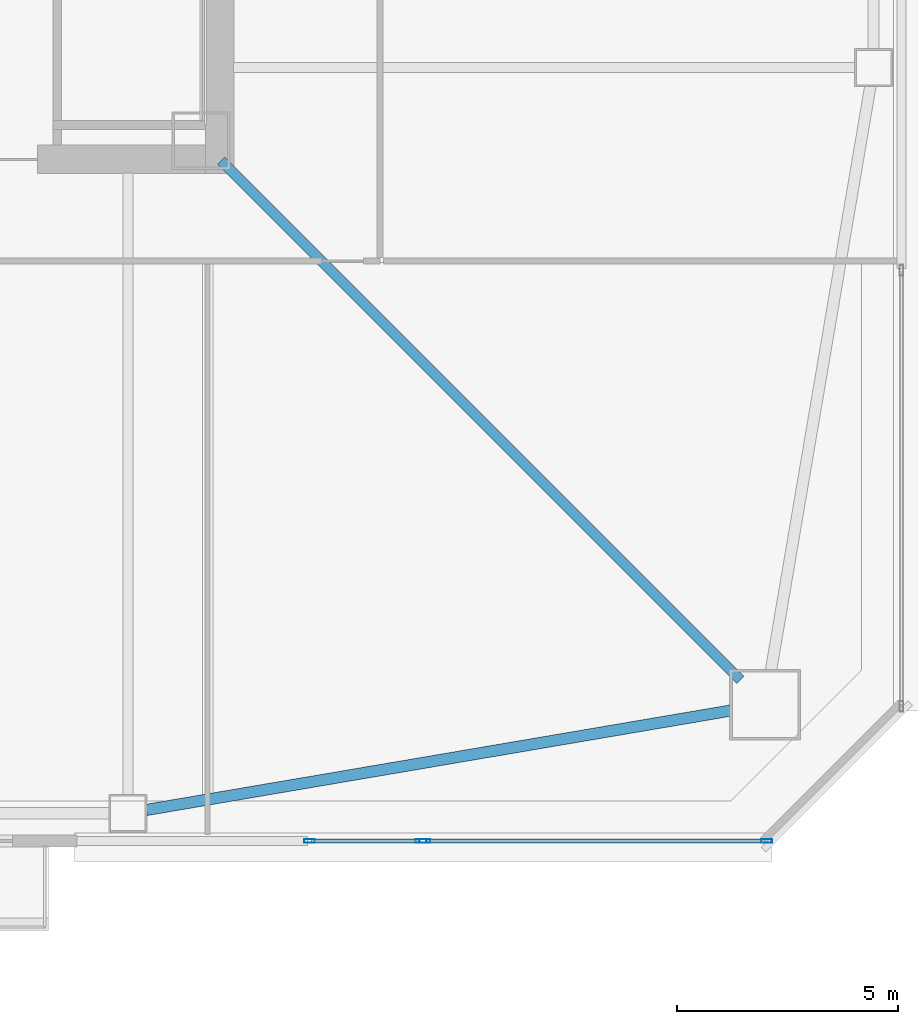
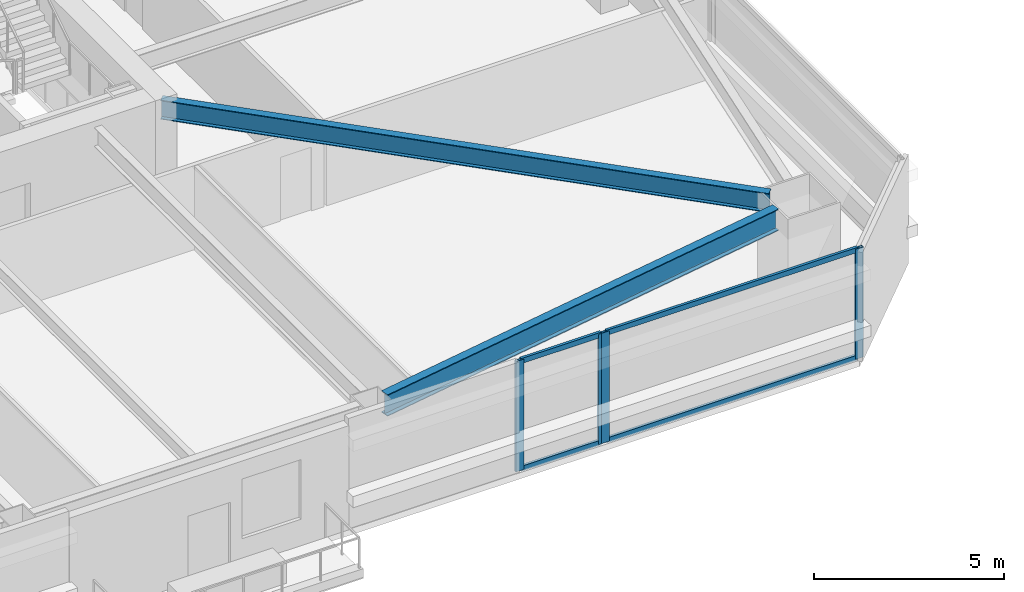
# One storey, part 8 of 46: 8 members, 2 beams, 2 elements without a shape of their own.
"""IFC4 building model written with IfcOpenShell, lengths in metres."""

import ifcopenshell
import ifcopenshell.guid

model = None  # the IFC model being written
_history = None  # IfcOwnerHistory: only IFC2X3 demands one
_inside = {}  # id of a spatial element -> (the spatial element, [elements in it])
_under = {}  # id of a project, library or spatial element -> (it, [spatial elements below it])
_declared = {}  # id of a project -> (the project, [libraries it declares])
_typed = {}  # id of a type object -> (the type object, [elements of that type])
_made_of = {}  # id of a material, layer set ... -> (it, [elements and type objects made of it])


def new_model(schema):
    """Start an empty IFC model of exactly this schema.

    Asked for "IFC4X3", IfcOpenShell would pick the latest addendum, in which some entities
    have other attributes; the version numbers below select the first issue.
    IFC2X3 requires an IfcOwnerHistory on every rooted entity: one is made here for all.
    """
    global model, _history
    if schema == "IFC4X3":
        model = ifcopenshell.file(schema_version=(4, 3, 0, 0))
    else:
        model = ifcopenshell.file(schema=schema)
    _inside.clear()
    _under.clear()
    _declared.clear()
    _typed.clear()
    _made_of.clear()
    _history = None
    if model.schema == "IFC2X3":
        org = make("IfcOrganization", Name="unknown")
        user = make(
            "IfcPersonAndOrganization",
            ThePerson=make("IfcPerson", FamilyName="unknown"),
            TheOrganization=org,
        )
        app = make(
            "IfcApplication",
            ApplicationDeveloper=org,
            Version="unknown",
            ApplicationFullName="unknown",
            ApplicationIdentifier="unknown",
        )
        _history = make(
            "IfcOwnerHistory",
            OwningUser=user,
            OwningApplication=app,
            ChangeAction="ADDED",
            CreationDate=0,
        )
    return model


def make(cls, **values):
    """One entity of the class cls with the attributes given. An attribute that is None is left unset."""
    return model.create_entity(
        cls, **{name: value for name, value in values.items() if value is not None}
    )


def rooted(cls, **values):
    """An entity with a GlobalId (a new one), such as an element, a storey or a relation."""
    return make(cls, GlobalId=ifcopenshell.guid.new(), OwnerHistory=_history, **values)


def si_unit(unit_type, name, prefix=None):
    """IfcSIUnit, for example si_unit("LENGTHUNIT", "METRE", prefix="MILLI")."""
    return make("IfcSIUnit", UnitType=unit_type, Prefix=prefix, Name=name)


def assignment(units):
    """IfcUnitAssignment: the units of a project."""
    return None if units is None else make("IfcUnitAssignment", Units=units)


def point(xyz):
    """IfcCartesianPoint."""
    return None if xyz is None else make("IfcCartesianPoint", Coordinates=xyz)


def direction(xyz):
    """IfcDirection."""
    return None if xyz is None else make("IfcDirection", DirectionRatios=xyz)


def frame(location, z_axis=None, x_axis=None):
    """IfcAxis2Placement3D, a coordinate frame: its origin and axes. An axis left out is left unset."""
    return make(
        "IfcAxis2Placement3D",
        Location=point(location),
        Axis=direction(z_axis),
        RefDirection=direction(x_axis),
    )


def frame_2d(location, x_axis=None):
    """IfcAxis2Placement2D, a coordinate frame in the plane: its origin and x axis."""
    return make(
        "IfcAxis2Placement2D", Location=point(location), RefDirection=direction(x_axis)
    )


def origin():
    """The frame at (0, 0, 0) with its axes left unset."""
    return frame((0.0, 0.0, 0.0))


def origin_2d():
    """The frame at (0, 0) in the plane with its x axis left unset."""
    return frame_2d((0.0, 0.0))


def place(relative_to, where):
    """IfcLocalPlacement: puts the frame where relative to a parent placement (None: the world)."""
    return make(
        "IfcLocalPlacement", PlacementRelTo=relative_to, RelativePlacement=where
    )


def context(
    kind, dimensions, precision=None, world=None, true_north=None, identifier=None
):
    """IfcGeometricRepresentationContext, for example the 3D "Model" context."""
    return make(
        "IfcGeometricRepresentationContext",
        ContextIdentifier=identifier,
        ContextType=kind,
        CoordinateSpaceDimension=dimensions,
        Precision=precision,
        WorldCoordinateSystem=world,
        TrueNorth=true_north,
    )


def subcontext(parent, identifier, kind, view, scale=None):
    """IfcGeometricRepresentationSubContext, for example "Body" below "Model"."""
    return make(
        "IfcGeometricRepresentationSubContext",
        ContextIdentifier=identifier,
        ContextType=kind,
        ParentContext=parent,
        TargetScale=scale,
        TargetView=view,
    )


def project(units=None, contexts=None):
    """IfcProject with its units and contexts."""
    return rooted(
        "IfcProject",
        Name="project",
        RepresentationContexts=contexts,
        UnitsInContext=assignment(units),
    )


def spatial(cls, under=None, at=None, **own):
    """A site, building, storey or space (cls), placed at a placement, below another one or the project."""
    s = rooted(cls, ObjectPlacement=at, **own)
    if under is not None:
        _under.setdefault(under.id(), (under, []))[1].append(s)
    return s


def profile(cls, at=None, kind="AREA", **sizes):
    """A parametric profile (cls). Its sizes go by their IFC names, for example OverallWidth=200.0."""
    return make(cls, ProfileType=kind, Position=at, **sizes)


def hollow_rectangle(**sizes):
    """IfcRectangleHollowProfileDef."""
    return profile("IfcRectangleHollowProfileDef", **sizes)


def i_section(**sizes):
    """IfcIShapeProfileDef."""
    return profile("IfcIShapeProfileDef", **sizes)


def extrude(swept, where, along, depth):
    """IfcExtrudedAreaSolid: the profile swept, set in the frame where, extruded along a direction by depth."""
    return make(
        "IfcExtrudedAreaSolid",
        SweptArea=swept,
        Position=where,
        ExtrudedDirection=direction(along),
        Depth=depth,
    )


def shape(context_of_items, identifier, shape_type, items):
    """IfcShapeRepresentation: the items that make up one representation, for example the "Body"."""
    return make(
        "IfcShapeRepresentation",
        ContextOfItems=context_of_items,
        RepresentationIdentifier=identifier,
        RepresentationType=shape_type,
        Items=items,
    )


def material(Name=None, Category=None):
    """IfcMaterial."""
    return make("IfcMaterial", Name=Name, Category=Category)


def material_profile(
    of_material, cross_section, Name=None, Category=None, Priority=None
):
    """IfcMaterialProfile: a cross section and its material."""
    return make(
        "IfcMaterialProfile",
        Name=Name,
        Material=of_material,
        Profile=cross_section,
        Priority=Priority,
        Category=Category,
    )


def profile_set(profiles, Name=None, composite=None):
    """IfcMaterialProfileSet."""
    return make(
        "IfcMaterialProfileSet",
        Name=Name,
        MaterialProfiles=profiles,
        CompositeProfile=composite,
    )


def made_of(thing, what):
    """Note that an element or type object is made of a material, layer set ...; save() writes the relation."""
    if what is not None:
        _made_of.setdefault(what.id(), (what, []))[1].append(thing)
    return thing


def type_object(cls, material=None, **own):
    """A type object (cls), such as IfcWallType, which elements share."""
    return made_of(rooted(cls, **own), material)


def element(
    cls,
    number,
    at=None,
    inside=None,
    cuts=None,
    type_object=None,
    material=None,
    context=None,
    identifier="Body",
    shape_type=None,
    held_by="IfcProductDefinitionShape",
    body=None,
    shapes=None,
    **own,
):
    """One element of the class cls, such as IfcWall. Its Tag is "e" and its number.

    at: its placement. inside: the storey or other place that contains it. cuts: it is an
    opening in that element (IfcRelVoidsElement). A single representation is given by context,
    identifier, shape_type and body (its items); several are given by shapes. held_by: the class
    of the entity that holds the representations. save() writes the other relations.
    """
    e = rooted(cls, Tag="e%d" % number, ObjectPlacement=at, **own)
    if body is not None:
        shapes = [shape(context, identifier, shape_type, body)]
    if shapes is not None:
        e.Representation = make(held_by, Representations=shapes)
    if inside is not None:
        _inside.setdefault(inside.id(), (inside, []))[1].append(e)
    if cuts is not None:
        rooted(
            "IfcRelVoidsElement", RelatingBuildingElement=cuts, RelatedOpeningElement=e
        )
    if type_object is not None:
        _typed.setdefault(type_object.id(), (type_object, []))[1].append(e)
    return made_of(e, material)


def aggregate(whole, parts):
    """IfcRelAggregates: a whole, such as a stair, and the parts it consists of."""
    return rooted("IfcRelAggregates", RelatingObject=whole, RelatedObjects=parts)


def save(model, path):
    """Write the relations noted so far, then the file.

    IfcRelAggregates (storeys below a building ...), IfcRelContainedInSpatialStructure (elements
    in a storey), IfcRelDefinesByType, IfcRelAssociatesMaterial and IfcRelDeclares: one each for
    every whole, place, type object, material and project.
    """
    for whole, parts in _under.values():
        aggregate(whole, parts)
    for where, things in _inside.values():
        rooted(
            "IfcRelContainedInSpatialStructure",
            RelatedElements=things,
            RelatingStructure=where,
        )
    for kind, things in _typed.values():
        rooted("IfcRelDefinesByType", RelatedObjects=things, RelatingType=kind)
    for what, things in _made_of.values():
        rooted("IfcRelAssociatesMaterial", RelatedObjects=things, RelatingMaterial=what)
    for by, libraries in _declared.values():
        rooted("IfcRelDeclares", RelatingContext=by, RelatedDefinitions=libraries)
    model.write(path)


model = new_model("IFC4")

# Units and contexts
model_context = context("Model", 3, precision=1e-05, world=origin(), true_north=direction((0.0, 1.0)))
body_context = subcontext(model_context, "Body", "Model", "MODEL_VIEW")
ifc_project = project(units=[si_unit("LENGTHUNIT", "METRE"), si_unit("AREAUNIT", "SQUARE_METRE"), si_unit("VOLUMEUNIT", "CUBIC_METRE"), si_unit("PLANEANGLEUNIT", "RADIAN"), si_unit("MASSUNIT", "GRAM", prefix="KILO")], contexts=[model_context])

# Site, building, storey
site_placement = place(None, origin())
site = spatial("IfcSite", under=ifc_project, at=site_placement, CompositionType="ELEMENT")
building_placement = place(site_placement, origin())
building = spatial("IfcBuilding", under=site, at=building_placement, Name="Tashvorn Skyway Center", CompositionType="ELEMENT")
storey_placement = place(building_placement, frame((0.0, 0.0, 38.800048828125)))
storey = spatial("IfcBuildingStorey", under=building, at=storey_placement, Name="L09", CompositionType="ELEMENT", Elevation=38.800048828125)

# Beams
ifc_material_1 = material(Name="Steel ASTM A992 Grade 50", Category="steel")
ifc_material_profile_1 = material_profile(ifc_material_1, i_section(OverallWidth=0.22998046875, OverallDepth=0.616943359375, WebThickness=0.01318359375, FlangeThickness=0.022216796875, at=origin_2d()), Name="W24X94")
ifc_profile_set_1 = profile_set([ifc_material_profile_1], Name="Steel ASTM A992 Grade 50")
beam_type_1 = type_object("IfcBeamType", Name="BM-BEAM-W24X94", PredefinedType="BEAM", material=ifc_profile_set_1)
beam_1_placement = place(storey_placement, frame((61.23779296875, 12.76220703125, 3.04150390625), z_axis=(-0.707106781187, 0.707106781187, 0.0), x_axis=(-0.707106781187, -0.707106781187, 0.0)))
element("IfcBeam", 1, at=beam_1_placement, inside=storey, type_object=beam_type_1, Name="Tower 1 L09 Primary Floor Girder MC-SE", PredefinedType="BEAM", context=body_context, shape_type="SweptSolid", body=[
    extrude(i_section(OverallWidth=0.22998046875, OverallDepth=0.616943359375, WebThickness=0.01318359375, FlangeThickness=0.022216796875, at=origin_2d()), origin(), (0.0, 0.0, 1.0), 16.591064453125),
])
ifc_material_profile_2 = material_profile(ifc_material_1, i_section(OverallWidth=0.256103515625, OverallDepth=0.693115234375, WebThickness=0.014404296875, FlangeThickness=0.023681640625, at=origin_2d()), Name="W27X114")
ifc_profile_set_2 = profile_set([ifc_material_profile_2], Name="Steel ASTM A992 Grade 50")
beam_type_2 = type_object("IfcBeamType", Name="BM-SPANDREL-W27X114", PredefinedType="SPANDREL", material=ifc_profile_set_2)
beam_2_placement = place(storey_placement, frame((47.81396484375, 9.820556640625, 3.00341796875), z_axis=(0.985835025551, 0.16771792509, 0.0), x_axis=(-0.16771792509, 0.985835025551, 0.0)))
element("IfcBeam", 2, at=beam_2_placement, inside=storey, type_object=beam_type_2, Name="Tower 1 L09 Spandrel Beam 03", PredefinedType="SPANDREL", context=body_context, shape_type="SweptSolid", body=[
    extrude(i_section(OverallWidth=0.256103515625, OverallDepth=0.693115234375, WebThickness=0.014404296875, FlangeThickness=0.023681640625, at=origin_2d()), origin(), (0.0, 0.0, 1.0), 13.39208984375),
])

# Curtain wall, members
ifc_material_2 = material(Name="Thermally broken bronze-anodized aluminium 6063-T6", Category="aluminium")
curtain_wall_type = type_object("IfcCurtainWallType", Name="CW-CW-Z1", PredefinedType="NOTDEFINED", material=ifc_material_2)
curtain_wall_1_placement = place(storey_placement, origin())
curtain_wall_1 = element("IfcCurtainWall", 3, at=curtain_wall_1_placement, inside=storey, type_object=curtain_wall_type, Name="Tower 1 L09 South Curtain Wall L Glazing Group 1", PredefinedType="NOTDEFINED")
ifc_material_profile_3 = material_profile(ifc_material_2, hollow_rectangle(XDim=0.0849609375, YDim=0.239990234375, WallThickness=0.0048828125, at=origin_2d()), Name="ALU-MULL-85x240")
ifc_profile_set_3 = profile_set([ifc_material_profile_3], Name="Thermally broken bronze-anodized aluminium 6063-T6")
member_type_1 = type_object("IfcMemberType", Name="CWM-CW-Z1", PredefinedType="MULLION", material=ifc_profile_set_3)
member_1_placement = place(storey_placement, frame((61.83740234375, 9.1201171875, 0.0), z_axis=(0.0, 0.0, 1.0), x_axis=(0.0, -1.0, 0.0)))
member_1 = element("IfcMember", 4, at=member_1_placement, type_object=member_type_1, Name="CW-Z1 mullion 1", PredefinedType="MULLION", context=body_context, shape_type="SweptSolid", body=[
    extrude(hollow_rectangle(XDim=0.0849609375, YDim=0.239990234375, WallThickness=0.0048828125, at=origin_2d()), origin(), (0.0, 0.0, 1.0), 3.550048828125),
])
member_2_placement = place(storey_placement, frame((54.107421875, 9.1201171875, 0.0), z_axis=(0.0, 0.0, 1.0), x_axis=(0.0, -1.0, 0.0)))
member_2 = element("IfcMember", 5, at=member_2_placement, type_object=member_type_1, Name="CW-Z1 mullion 2", PredefinedType="MULLION", context=body_context, shape_type="SweptSolid", body=[
    extrude(hollow_rectangle(XDim=0.0849609375, YDim=0.239990234375, WallThickness=0.0048828125, at=origin_2d()), origin(), (0.0, 0.0, 1.0), 3.550048828125),
])

curtain_wall_2_placement = place(storey_placement, origin())
curtain_wall_2 = element("IfcCurtainWall", 6, at=curtain_wall_2_placement, inside=storey, type_object=curtain_wall_type, Name="Tower 1 L09 South Curtain Wall L Glazing Group 2", PredefinedType="NOTDEFINED")
member_3_placement = place(storey_placement, frame((54.0224609375, 9.1201171875, 0.0), z_axis=(0.0, 0.0, 1.0), x_axis=(0.0, -1.0, 0.0)))
member_3 = element("IfcMember", 7, at=member_3_placement, type_object=member_type_1, Name="CW-Z1 mullion 1", PredefinedType="MULLION", context=body_context, shape_type="SweptSolid", body=[
    extrude(hollow_rectangle(XDim=0.0849609375, YDim=0.239990234375, WallThickness=0.0048828125, at=origin_2d()), origin(), (0.0, 0.0, 1.0), 3.550048828125),
])
member_4_placement = place(storey_placement, frame((51.50244140625, 9.1201171875, 0.0), z_axis=(0.0, 0.0, 1.0), x_axis=(0.0, -1.0, 0.0)))
member_4 = element("IfcMember", 8, at=member_4_placement, type_object=member_type_1, Name="CW-Z1 mullion 2", PredefinedType="MULLION", context=body_context, shape_type="SweptSolid", body=[
    extrude(hollow_rectangle(XDim=0.0849609375, YDim=0.239990234375, WallThickness=0.0048828125, at=origin_2d()), origin(), (0.0, 0.0, 1.0), 3.550048828125),
])

# Member
ifc_material_profile_4 = material_profile(ifc_material_2, hollow_rectangle(XDim=0.0849609375, YDim=0.1650390625, WallThickness=0.0048828125, at=origin_2d()), Name="ALU-TRAN-85x165")
ifc_profile_set_4 = profile_set([ifc_material_profile_4], Name="Thermally broken bronze-anodized aluminium 6063-T6")
member_type_2 = type_object("IfcMemberType", Name="CWT-CW-Z1", PredefinedType="USERDEFINED", material=ifc_profile_set_4)
member_5_placement = place(storey_placement, frame((61.794921875, 9.1201171875, 0.04248046875), z_axis=(-1.0, 0.0, 0.0), x_axis=(0.0, -1.0, 0.0)))
member_5 = element("IfcMember", 9, at=member_5_placement, type_object=member_type_2, Name="CW-Z1 transom 1.1", ObjectType="TRANSOM", PredefinedType="USERDEFINED", context=body_context, shape_type="SweptSolid", body=[
    extrude(hollow_rectangle(XDim=0.0849609375, YDim=0.1650390625, WallThickness=0.0048828125, at=origin_2d()), origin(), (0.0, 0.0, 1.0), 7.64501953125),
])

member_6_placement = place(storey_placement, frame((61.794921875, 9.1201171875, 3.507568359375), z_axis=(-1.0, 0.0, 0.0), x_axis=(0.0, -1.0, 0.0)))
member_6 = element("IfcMember", 10, at=member_6_placement, type_object=member_type_2, Name="CW-Z1 transom 1.2", ObjectType="TRANSOM", PredefinedType="USERDEFINED", context=body_context, shape_type="SweptSolid", body=[
    extrude(hollow_rectangle(XDim=0.0849609375, YDim=0.1650390625, WallThickness=0.0048828125, at=origin_2d()), origin(), (0.0, 0.0, 1.0), 7.64501953125),
])

aggregate(curtain_wall_1, [member_1, member_2, member_5, member_6])

member_7_placement = place(storey_placement, frame((53.97998046875, 9.1201171875, 0.04248046875), z_axis=(-1.0, 0.0, 0.0), x_axis=(0.0, -1.0, 0.0)))
member_7 = element("IfcMember", 11, at=member_7_placement, type_object=member_type_2, Name="CW-Z1 transom 1.1", ObjectType="TRANSOM", PredefinedType="USERDEFINED", context=body_context, shape_type="SweptSolid", body=[
    extrude(hollow_rectangle(XDim=0.0849609375, YDim=0.1650390625, WallThickness=0.0048828125, at=origin_2d()), origin(), (0.0, 0.0, 1.0), 2.43505859375),
])

member_8_placement = place(storey_placement, frame((53.97998046875, 9.1201171875, 3.507568359375), z_axis=(-1.0, 0.0, 0.0), x_axis=(0.0, -1.0, 0.0)))
member_8 = element("IfcMember", 12, at=member_8_placement, type_object=member_type_2, Name="CW-Z1 transom 1.2", ObjectType="TRANSOM", PredefinedType="USERDEFINED", context=body_context, shape_type="SweptSolid", body=[
    extrude(hollow_rectangle(XDim=0.0849609375, YDim=0.1650390625, WallThickness=0.0048828125, at=origin_2d()), origin(), (0.0, 0.0, 1.0), 2.43505859375),
])

aggregate(curtain_wall_2, [member_3, member_4, member_7, member_8])

save(model, "model.ifc")
